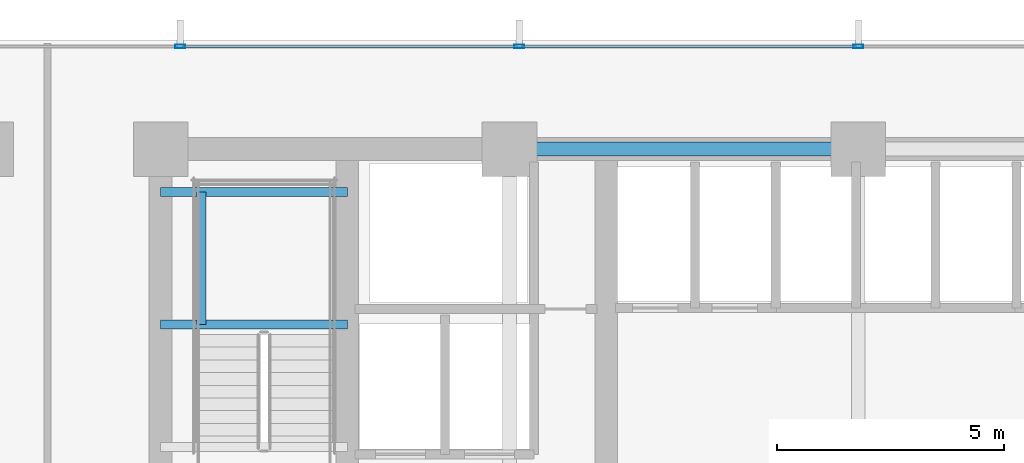
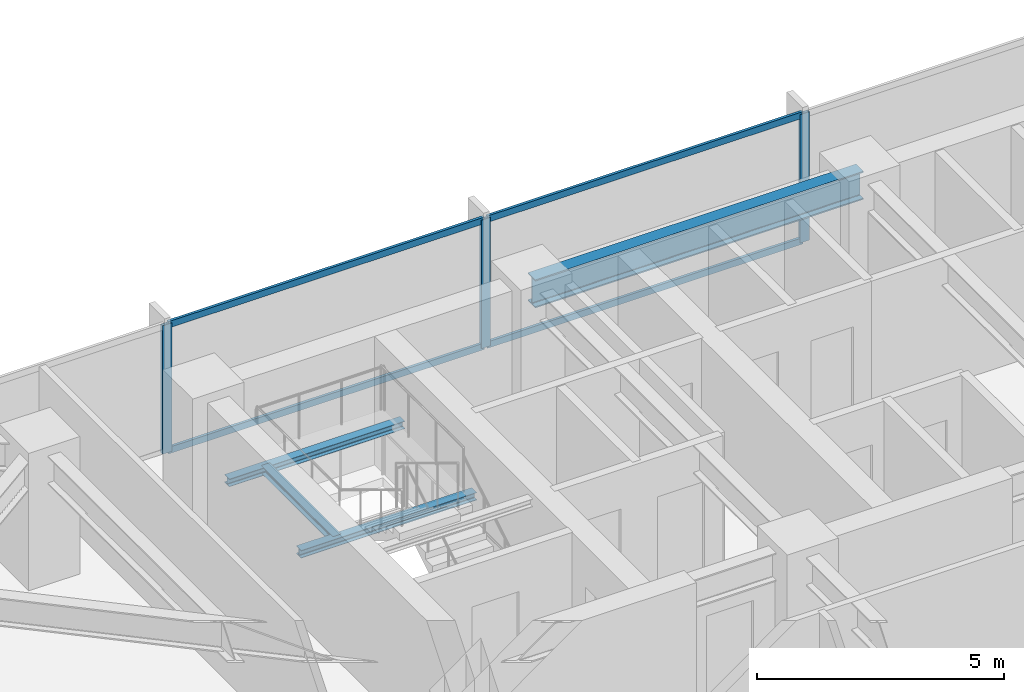
# One storey, part 18 of 32: 7 members, 4 beams, 1 element without a shape of its own.
"""IFC4 building model written with IfcOpenShell, lengths in metres."""

from ifc_helpers import new_model, si_unit, direction, frame, origin, origin_2d, place, context, subcontext, project, spatial, hollow_rectangle, i_section, extrude, material, material_profile, profile_set, type_object, element, aggregate, save


model = new_model("IFC4")

# Units and contexts
model_context = context("Model", 3, precision=1e-05, world=origin(), true_north=direction((0.0, 1.0)))
body_context = subcontext(model_context, "Body", "Model", "MODEL_VIEW")
ifc_project = project(units=[si_unit("LENGTHUNIT", "METRE"), si_unit("AREAUNIT", "SQUARE_METRE"), si_unit("VOLUMEUNIT", "CUBIC_METRE"), si_unit("PLANEANGLEUNIT", "RADIAN"), si_unit("MASSUNIT", "GRAM", prefix="KILO")], contexts=[model_context])

# Site, building, storey
site_placement = place(None, origin())
site = spatial("IfcSite", under=ifc_project, at=site_placement, CompositionType="ELEMENT")
building_placement = place(site_placement, origin())
building = spatial("IfcBuilding", under=site, at=building_placement, Name="Yelkora Congress Tower", CompositionType="ELEMENT")
storey_placement = place(building_placement, frame((0.0, 0.0, 33.800048828125)))
storey = spatial("IfcBuildingStorey", under=building, at=storey_placement, Name="L07", CompositionType="ELEMENT", Elevation=33.800048828125)

# Beams
ifc_material_1 = material(Name="Steel S355J2", Category="steel")
ifc_material_profile_1 = material_profile(ifc_material_1, i_section(OverallWidth=0.300048828125, OverallDepth=0.699951171875, WebThickness=0.01708984375, FlangeThickness=0.031982421875, FilletRadius=0.027099609375, at=origin_2d()), Name="HEB 700")
ifc_profile_set_1 = profile_set([ifc_material_profile_1], Name="Steel S355J2")
beam_type_1 = type_object("IfcBeamType", Name="BM-GIRD-HEB700", PredefinedType="BEAM", material=ifc_profile_set_1)
beam_1_placement = place(storey_placement, frame((30.719970703125, 46.199951171875, 2.829833984375), z_axis=(1.0, 0.0, 0.0), x_axis=(0.0, 1.0, 0.0)))
element("IfcBeam", 1, at=beam_1_placement, inside=storey, type_object=beam_type_1, Name="L07 Core North Girder 3", PredefinedType="BEAM", context=body_context, shape_type="SweptSolid", body=[
    extrude(i_section(OverallWidth=0.300048828125, OverallDepth=0.699951171875, WebThickness=0.01708984375, FlangeThickness=0.031982421875, FilletRadius=0.027099609375, at=origin_2d()), origin(), (0.0, 0.0, 1.0), 7.679931640625),
])
ifc_material_profile_2 = material_profile(ifc_material_1, i_section(OverallWidth=0.199951171875, OverallDepth=0.18994140625, WebThickness=0.006591796875, FlangeThickness=0.010009765625, FilletRadius=0.01806640625, at=origin_2d()), Name="HEA 200")
ifc_profile_set_2 = profile_set([ifc_material_profile_2], Name="Steel S355J2")
beam_type_2 = type_object("IfcBeamType", Name="BM-LAND-HEA200", PredefinedType="BEAM", material=ifc_profile_set_2)
for number, where, z_axis, x_axis, name in (
    (2, (23.0400390625, 42.340087890625, 1.384521484375), (1.0, 0.0, 0.0), (0.0, 1.0, 0.0), "ST-01 L07 Landing Header Beam 1S"),
    (3, (23.0400390625, 45.25, 1.384521484375), (1.0, 0.0, 0.0), (0.0, 1.0, 0.0), "ST-01 L07 Landing Header Beam 1N"),
):
    element("IfcBeam", number, at=place(storey_placement, frame(where, z_axis=z_axis, x_axis=x_axis)), inside=storey, type_object=beam_type_2, Name=name, PredefinedType="BEAM", context=body_context, shape_type="SweptSolid", body=[
        extrude(i_section(OverallWidth=0.199951171875, OverallDepth=0.18994140625, WebThickness=0.006591796875, FlangeThickness=0.010009765625, FilletRadius=0.01806640625, at=origin_2d()), origin(), (0.0, 0.0, 1.0), 4.10986328125),
    ])
beam_2_placement = place(storey_placement, frame((23.93994140625, 42.340087890625, 1.384521484375), z_axis=(0.0, 1.0, 0.0), x_axis=(-1.0, 0.0, 0.0)))
element("IfcBeam", 4, at=beam_2_placement, inside=storey, type_object=beam_type_2, Name="ST-01 L07 Landing Trimmer Beam 1M", PredefinedType="BEAM", context=body_context, shape_type="SweptSolid", body=[
    extrude(i_section(OverallWidth=0.199951171875, OverallDepth=0.18994140625, WebThickness=0.006591796875, FlangeThickness=0.010009765625, FilletRadius=0.01806640625, at=origin_2d()), origin(), (0.0, 0.0, 1.0), 2.909912109375),
])

# Curtain wall, members
ifc_material_2 = material(Name="Anodised aluminium and insulated glass", Category="aluminium")
curtain_wall_type = type_object("IfcCurtainWallType", Name="CW-SYS-B1", PredefinedType="NOTDEFINED", material=ifc_material_2)
curtain_wall_placement = place(storey_placement, origin())
curtain_wall = element("IfcCurtainWall", 5, at=curtain_wall_placement, inside=storey, type_object=curtain_wall_type, Name="L07 Unitised Curtain Wall 10", PredefinedType="NOTDEFINED")
ifc_material_3 = material(Name="Anodised aluminium 6063-T6", Category="aluminium")
ifc_material_profile_3 = material_profile(ifc_material_3, hollow_rectangle(XDim=0.074951171875, YDim=0.219970703125, WallThickness=0.0048828125, at=origin_2d()), Name="ALU 75x220x5")
ifc_profile_set_3 = profile_set([ifc_material_profile_3], Name="Anodised aluminium 6063-T6")
member_type_1 = type_object("IfcMemberType", Name="MEM-ML-B1", PredefinedType="MULLION", material=ifc_profile_set_3)
member_1_placement = place(storey_placement, frame((23.469970703125, 48.4599609375, 0.0), z_axis=(0.0, 0.0, 1.0), x_axis=(0.0, 1.0, 0.0)))
member_1 = element("IfcMember", 6, at=member_1_placement, type_object=member_type_1, Name="CW-B1 mullion 3", PredefinedType="MULLION", context=body_context, shape_type="SweptSolid", body=[
    extrude(hollow_rectangle(XDim=0.074951171875, YDim=0.219970703125, WallThickness=0.0048828125, at=origin_2d()), origin(), (0.0, 0.0, 1.0), 3.179931640625),
])
member_2_placement = place(storey_placement, frame((30.93505859375, 48.4599609375, 0.0), z_axis=(0.0, 0.0, 1.0), x_axis=(0.0, 1.0, 0.0)))
member_2 = element("IfcMember", 7, at=member_2_placement, type_object=member_type_1, Name="CW-B1 mullion 4", PredefinedType="MULLION", context=body_context, shape_type="SweptSolid", body=[
    extrude(hollow_rectangle(XDim=0.074951171875, YDim=0.219970703125, WallThickness=0.0048828125, at=origin_2d()), origin(), (0.0, 0.0, 1.0), 3.179931640625),
])
member_3_placement = place(storey_placement, frame((38.39990234375, 48.4599609375, 0.0), z_axis=(0.0, 0.0, 1.0), x_axis=(0.0, 1.0, 0.0)))
member_3 = element("IfcMember", 8, at=member_3_placement, type_object=member_type_1, Name="CW-B1 mullion 5", PredefinedType="MULLION", context=body_context, shape_type="SweptSolid", body=[
    extrude(hollow_rectangle(XDim=0.074951171875, YDim=0.219970703125, WallThickness=0.0048828125, at=origin_2d()), origin(), (0.0, 0.0, 1.0), 3.179931640625),
])
ifc_material_profile_4 = material_profile(ifc_material_3, hollow_rectangle(XDim=0.06494140625, YDim=0.159912109375, WallThickness=0.00390625, at=origin_2d()), Name="ALU 65x160x4")
ifc_profile_set_4 = profile_set([ifc_material_profile_4], Name="Anodised aluminium 6063-T6")
member_type_2 = type_object("IfcMemberType", Name="MEM-TR-B1", PredefinedType="USERDEFINED", material=ifc_profile_set_4)
member_4_placement = place(storey_placement, frame((23.507568359375, 48.4599609375, 0.032470703125), z_axis=(1.0, 0.0, 0.0), x_axis=(0.0, 1.0, 0.0)))
member_4 = element("IfcMember", 9, at=member_4_placement, type_object=member_type_2, Name="CW-B1 transom 3.1", ObjectType="TRANSOM", PredefinedType="USERDEFINED", context=body_context, shape_type="SweptSolid", body=[
    extrude(hollow_rectangle(XDim=0.06494140625, YDim=0.159912109375, WallThickness=0.00390625, at=origin_2d()), origin(), (0.0, 0.0, 1.0), 7.389892578125),
])
member_5_placement = place(storey_placement, frame((23.507568359375, 48.4599609375, 3.1474609375), z_axis=(1.0, 0.0, 0.0), x_axis=(0.0, 1.0, 0.0)))
member_5 = element("IfcMember", 10, at=member_5_placement, type_object=member_type_2, Name="CW-B1 transom 3.2", ObjectType="TRANSOM", PredefinedType="USERDEFINED", context=body_context, shape_type="SweptSolid", body=[
    extrude(hollow_rectangle(XDim=0.06494140625, YDim=0.159912109375, WallThickness=0.00390625, at=origin_2d()), origin(), (0.0, 0.0, 1.0), 7.389892578125),
])
member_6_placement = place(storey_placement, frame((30.972412109375, 48.4599609375, 0.032470703125), z_axis=(1.0, 0.0, 0.0), x_axis=(0.0, 1.0, 0.0)))
member_6 = element("IfcMember", 11, at=member_6_placement, type_object=member_type_2, Name="CW-B1 transom 4.1", ObjectType="TRANSOM", PredefinedType="USERDEFINED", context=body_context, shape_type="SweptSolid", body=[
    extrude(hollow_rectangle(XDim=0.06494140625, YDim=0.159912109375, WallThickness=0.00390625, at=origin_2d()), origin(), (0.0, 0.0, 1.0), 7.39013671875),
])
member_7_placement = place(storey_placement, frame((30.972412109375, 48.4599609375, 3.1474609375), z_axis=(1.0, 0.0, 0.0), x_axis=(0.0, 1.0, 0.0)))
member_7 = element("IfcMember", 12, at=member_7_placement, type_object=member_type_2, Name="CW-B1 transom 4.2", ObjectType="TRANSOM", PredefinedType="USERDEFINED", context=body_context, shape_type="SweptSolid", body=[
    extrude(hollow_rectangle(XDim=0.06494140625, YDim=0.159912109375, WallThickness=0.00390625, at=origin_2d()), origin(), (0.0, 0.0, 1.0), 7.39013671875),
])
aggregate(curtain_wall, [member_1, member_2, member_3, member_4, member_5, member_6, member_7])

save(model, "model.ifc")
